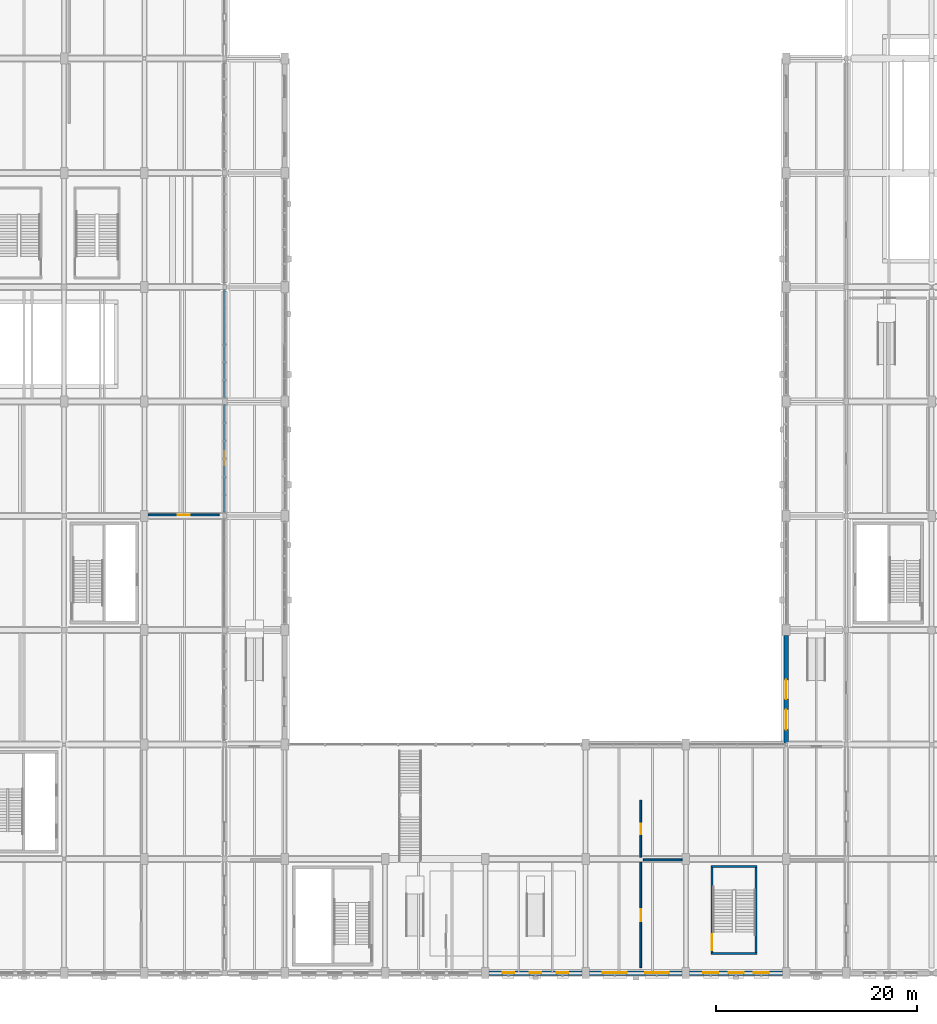
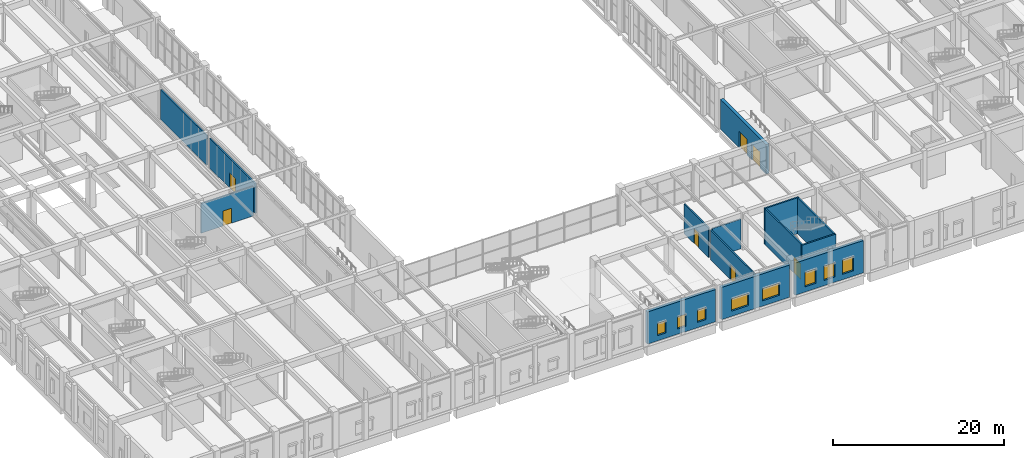
# One storey, part 85 of 113: 14 walls, 8 windows, 7 doors, 15 openings.
"""IFC4 building model written with IfcOpenShell, lengths in metres."""

import ifcopenshell
import ifcopenshell.guid

model = None  # the IFC model being written
_history = None  # IfcOwnerHistory: only IFC2X3 demands one
_inside = {}  # id of a spatial element -> (the spatial element, [elements in it])
_under = {}  # id of a project, library or spatial element -> (it, [spatial elements below it])
_declared = {}  # id of a project -> (the project, [libraries it declares])
_typed = {}  # id of a type object -> (the type object, [elements of that type])
_made_of = {}  # id of a material, layer set ... -> (it, [elements and type objects made of it])


def new_model(schema):
    """Start an empty IFC model of exactly this schema.

    Asked for "IFC4X3", IfcOpenShell would pick the latest addendum, in which some entities
    have other attributes; the version numbers below select the first issue.
    IFC2X3 requires an IfcOwnerHistory on every rooted entity: one is made here for all.
    """
    global model, _history
    if schema == "IFC4X3":
        model = ifcopenshell.file(schema_version=(4, 3, 0, 0))
    else:
        model = ifcopenshell.file(schema=schema)
    _inside.clear()
    _under.clear()
    _declared.clear()
    _typed.clear()
    _made_of.clear()
    _history = None
    if model.schema == "IFC2X3":
        org = make("IfcOrganization", Name="unknown")
        user = make(
            "IfcPersonAndOrganization",
            ThePerson=make("IfcPerson", FamilyName="unknown"),
            TheOrganization=org,
        )
        app = make(
            "IfcApplication",
            ApplicationDeveloper=org,
            Version="unknown",
            ApplicationFullName="unknown",
            ApplicationIdentifier="unknown",
        )
        _history = make(
            "IfcOwnerHistory",
            OwningUser=user,
            OwningApplication=app,
            ChangeAction="ADDED",
            CreationDate=0,
        )
    return model


def make(cls, **values):
    """One entity of the class cls with the attributes given. An attribute that is None is left unset."""
    return model.create_entity(
        cls, **{name: value for name, value in values.items() if value is not None}
    )


def rooted(cls, **values):
    """An entity with a GlobalId (a new one), such as an element, a storey or a relation."""
    return make(cls, GlobalId=ifcopenshell.guid.new(), OwnerHistory=_history, **values)


def si_unit(unit_type, name, prefix=None):
    """IfcSIUnit, for example si_unit("LENGTHUNIT", "METRE", prefix="MILLI")."""
    return make("IfcSIUnit", UnitType=unit_type, Prefix=prefix, Name=name)


def assignment(units):
    """IfcUnitAssignment: the units of a project."""
    return None if units is None else make("IfcUnitAssignment", Units=units)


def point(xyz):
    """IfcCartesianPoint."""
    return None if xyz is None else make("IfcCartesianPoint", Coordinates=xyz)


def direction(xyz):
    """IfcDirection."""
    return None if xyz is None else make("IfcDirection", DirectionRatios=xyz)


def frame(location, z_axis=None, x_axis=None):
    """IfcAxis2Placement3D, a coordinate frame: its origin and axes. An axis left out is left unset."""
    return make(
        "IfcAxis2Placement3D",
        Location=point(location),
        Axis=direction(z_axis),
        RefDirection=direction(x_axis),
    )


def frame_2d(location, x_axis=None):
    """IfcAxis2Placement2D, a coordinate frame in the plane: its origin and x axis."""
    return make(
        "IfcAxis2Placement2D", Location=point(location), RefDirection=direction(x_axis)
    )


def origin():
    """The frame at (0, 0, 0) with its axes left unset."""
    return frame((0.0, 0.0, 0.0))


def place(relative_to, where):
    """IfcLocalPlacement: puts the frame where relative to a parent placement (None: the world)."""
    return make(
        "IfcLocalPlacement", PlacementRelTo=relative_to, RelativePlacement=where
    )


def context(
    kind, dimensions, precision=None, world=None, true_north=None, identifier=None
):
    """IfcGeometricRepresentationContext, for example the 3D "Model" context."""
    return make(
        "IfcGeometricRepresentationContext",
        ContextIdentifier=identifier,
        ContextType=kind,
        CoordinateSpaceDimension=dimensions,
        Precision=precision,
        WorldCoordinateSystem=world,
        TrueNorth=true_north,
    )


def subcontext(parent, identifier, kind, view, scale=None):
    """IfcGeometricRepresentationSubContext, for example "Body" below "Model"."""
    return make(
        "IfcGeometricRepresentationSubContext",
        ContextIdentifier=identifier,
        ContextType=kind,
        ParentContext=parent,
        TargetScale=scale,
        TargetView=view,
    )


def project(units=None, contexts=None):
    """IfcProject with its units and contexts."""
    return rooted(
        "IfcProject",
        Name="project",
        RepresentationContexts=contexts,
        UnitsInContext=assignment(units),
    )


def spatial(cls, under=None, at=None, **own):
    """A site, building, storey or space (cls), placed at a placement, below another one or the project."""
    s = rooted(cls, ObjectPlacement=at, **own)
    if under is not None:
        _under.setdefault(under.id(), (under, []))[1].append(s)
    return s


def profile(cls, at=None, kind="AREA", **sizes):
    """A parametric profile (cls). Its sizes go by their IFC names, for example OverallWidth=200.0."""
    return make(cls, ProfileType=kind, Position=at, **sizes)


def rectangle(**sizes):
    """IfcRectangleProfileDef."""
    return profile("IfcRectangleProfileDef", **sizes)


def extrude(swept, where, along, depth):
    """IfcExtrudedAreaSolid: the profile swept, set in the frame where, extruded along a direction by depth."""
    return make(
        "IfcExtrudedAreaSolid",
        SweptArea=swept,
        Position=where,
        ExtrudedDirection=direction(along),
        Depth=depth,
    )


def shape(context_of_items, identifier, shape_type, items):
    """IfcShapeRepresentation: the items that make up one representation, for example the "Body"."""
    return make(
        "IfcShapeRepresentation",
        ContextOfItems=context_of_items,
        RepresentationIdentifier=identifier,
        RepresentationType=shape_type,
        Items=items,
    )


def material(Name=None, Category=None):
    """IfcMaterial."""
    return make("IfcMaterial", Name=Name, Category=Category)


def layer(
    of_material, thickness, ventilated=None, Name=None, Category=None, Priority=None
):
    """IfcMaterialLayer: one layer of a wall or slab, of a material (None: an air gap)."""
    return make(
        "IfcMaterialLayer",
        Material=of_material,
        LayerThickness=thickness,
        IsVentilated=ventilated,
        Name=Name,
        Category=Category,
        Priority=Priority,
    )


def layer_set(layers, Name=None):
    """IfcMaterialLayerSet."""
    return make("IfcMaterialLayerSet", MaterialLayers=layers, LayerSetName=Name)


def made_of(thing, what):
    """Note that an element or type object is made of a material, layer set ...; save() writes the relation."""
    if what is not None:
        _made_of.setdefault(what.id(), (what, []))[1].append(thing)
    return thing


def type_object(cls, material=None, **own):
    """A type object (cls), such as IfcWallType, which elements share."""
    return made_of(rooted(cls, **own), material)


def element(
    cls,
    number,
    at=None,
    inside=None,
    cuts=None,
    type_object=None,
    material=None,
    context=None,
    identifier="Body",
    shape_type=None,
    held_by="IfcProductDefinitionShape",
    body=None,
    shapes=None,
    **own,
):
    """One element of the class cls, such as IfcWall. Its Tag is "e" and its number.

    at: its placement. inside: the storey or other place that contains it. cuts: it is an
    opening in that element (IfcRelVoidsElement). A single representation is given by context,
    identifier, shape_type and body (its items); several are given by shapes. held_by: the class
    of the entity that holds the representations. save() writes the other relations.
    """
    e = rooted(cls, Tag="e%d" % number, ObjectPlacement=at, **own)
    if body is not None:
        shapes = [shape(context, identifier, shape_type, body)]
    if shapes is not None:
        e.Representation = make(held_by, Representations=shapes)
    if inside is not None:
        _inside.setdefault(inside.id(), (inside, []))[1].append(e)
    if cuts is not None:
        rooted(
            "IfcRelVoidsElement", RelatingBuildingElement=cuts, RelatedOpeningElement=e
        )
    if type_object is not None:
        _typed.setdefault(type_object.id(), (type_object, []))[1].append(e)
    return made_of(e, material)


def fill(opening, filler):
    """IfcRelFillsElement: the door or window that sits in an opening."""
    return rooted(
        "IfcRelFillsElement",
        RelatingOpeningElement=opening,
        RelatedBuildingElement=filler,
    )


def aggregate(whole, parts):
    """IfcRelAggregates: a whole, such as a stair, and the parts it consists of."""
    return rooted("IfcRelAggregates", RelatingObject=whole, RelatedObjects=parts)


def save(model, path):
    """Write the relations noted so far, then the file.

    IfcRelAggregates (storeys below a building ...), IfcRelContainedInSpatialStructure (elements
    in a storey), IfcRelDefinesByType, IfcRelAssociatesMaterial and IfcRelDeclares: one each for
    every whole, place, type object, material and project.
    """
    for whole, parts in _under.values():
        aggregate(whole, parts)
    for where, things in _inside.values():
        rooted(
            "IfcRelContainedInSpatialStructure",
            RelatedElements=things,
            RelatingStructure=where,
        )
    for kind, things in _typed.values():
        rooted("IfcRelDefinesByType", RelatedObjects=things, RelatingType=kind)
    for what, things in _made_of.values():
        rooted("IfcRelAssociatesMaterial", RelatedObjects=things, RelatingMaterial=what)
    for by, libraries in _declared.values():
        rooted("IfcRelDeclares", RelatingContext=by, RelatedDefinitions=libraries)
    model.write(path)


model = new_model("IFC4")

# Units and contexts
model_context = context("Model", 3, precision=1e-05, world=origin(), true_north=direction((0.0, 1.0)))
body_context = subcontext(model_context, "Body", "Model", "MODEL_VIEW")
ifc_project = project(units=[si_unit("LENGTHUNIT", "METRE"), si_unit("AREAUNIT", "SQUARE_METRE"), si_unit("VOLUMEUNIT", "CUBIC_METRE"), si_unit("PLANEANGLEUNIT", "RADIAN"), si_unit("MASSUNIT", "GRAM", prefix="KILO"), si_unit("POWERUNIT", "WATT"), si_unit("THERMODYNAMICTEMPERATUREUNIT", "KELVIN")], contexts=[model_context])

# Site, building, storey
site_placement = place(None, origin())
site = spatial("IfcSite", under=ifc_project, at=site_placement, CompositionType="ELEMENT")
building_placement = place(site_placement, origin())
building = spatial("IfcBuilding", under=site, at=building_placement, Name="Kelmbourne Parkland Aquatics Centre", CompositionType="ELEMENT")
storey_placement = place(building_placement, origin())
storey = spatial("IfcBuildingStorey", under=building, at=storey_placement, Name="L00", CompositionType="ELEMENT", Elevation=0.0)

# Wall, openings, windows
ifc_material_1 = material(Name="Dark manganite base-course brickwork", Category="masonry")
ifc_layer_1 = layer(ifc_material_1, 0.429931640625)
ifc_layer_set_1 = layer_set([ifc_layer_1], Name="Dark manganite base-course brickwork")
wall_type_1 = type_object("IfcWallType", Name="W-EXT-430", PredefinedType="STANDARD", material=ifc_layer_set_1)
wall_1_placement = place(storey_placement, frame((66.376953125, 0.800048828125, 0.0), z_axis=(0.0, 0.0, 1.0), x_axis=(1.0, 0.0, 0.0)))
wall_1 = element("IfcWall", 1, at=wall_1_placement, inside=storey, type_object=wall_type_1, Name="Exterior polychrome brick wall EW-L00-026", PredefinedType="STANDARD", context=body_context, shape_type="SweptSolid", body=[
    extrude(rectangle(XDim=9.24609375, YDim=0.429931640625, at=frame_2d((4.623046875, 0.0))), origin(), (0.0, 0.0, 1.0), 4.612060546875),
])
opening_1_placement = place(wall_1_placement, frame((1.35009765625, 0.0, 0.75)))
opening_1 = element("IfcOpeningElement", 2, at=opening_1_placement, cuts=wall_1, Name="Opening W02", PredefinedType="OPENING", context=body_context, shape_type="SweptSolid", body=[
    extrude(rectangle(XDim=1.14990234375, YDim=1.75, at=frame_2d((0.574951171875, 0.875))), frame((0.0, 0.22705078125, 0.0), z_axis=(0.0, -1.0, 0.0), x_axis=(1.0, 0.0, 0.0)), (0.0, 0.0, 1.0), 0.453857421875),
])
opening_2_placement = place(wall_1_placement, frame((4.048095703125, 0.0, 0.75)))
opening_2 = element("IfcOpeningElement", 3, at=opening_2_placement, cuts=wall_1, Name="Opening W02", PredefinedType="OPENING", context=body_context, shape_type="SweptSolid", body=[
    extrude(rectangle(XDim=1.14990234375, YDim=1.75, at=frame_2d((0.574951171875, 0.875))), frame((0.0, 0.22705078125, 0.0), z_axis=(0.0, -1.0, 0.0), x_axis=(1.0, 0.0, 0.0)), (0.0, 0.0, 1.0), 0.453857421875),
])
opening_3_placement = place(wall_1_placement, frame((6.74609375, 0.0, 0.75)))
opening_3 = element("IfcOpeningElement", 4, at=opening_3_placement, cuts=wall_1, Name="Opening W02", PredefinedType="OPENING", context=body_context, shape_type="SweptSolid", body=[
    extrude(rectangle(XDim=1.14990234375, YDim=1.75, at=frame_2d((0.574951171875, 0.875))), frame((0.0, 0.22705078125, 0.0), z_axis=(0.0, -1.0, 0.0), x_axis=(1.0, 0.0, 0.0)), (0.0, 0.0, 1.0), 0.453857421875),
])
ifc_material_2 = material(Name="Thermally broken anodised aluminium window with low-e glass", Category="aluminium")
ifc_layer_2 = layer(ifc_material_2, 0.090087890625)
ifc_layer_set_2 = layer_set([ifc_layer_2], Name="Thermally broken anodised aluminium window with low-e glass")
window_type_1 = type_object("IfcWindowType", Name="WN-02", PartitioningType="SINGLE_PANEL", PredefinedType="WINDOW", material=ifc_layer_set_2)
window_1_placement = place(opening_1_placement, origin())
window_1 = element("IfcWindow", 5, at=window_1_placement, inside=storey, type_object=window_type_1, Name="Deep-reveal masonry window W02", OverallHeight=1.75, OverallWidth=1.14990234375, PartitioningType="SINGLE_PANEL", PredefinedType="WINDOW", context=body_context, shape_type="SweptSolid", body=[
    extrude(rectangle(XDim=1.14990234375, YDim=1.75, at=frame_2d((0.574951171875, 0.875))), frame((0.0, 0.080078125, 0.0), z_axis=(0.0, -1.0, 0.0), x_axis=(1.0, 0.0, 0.0)), (0.0, 0.0, 1.0), 0.06005859375),
])
fill(opening_1, window_1)
window_2_placement = place(opening_2_placement, origin())
window_2 = element("IfcWindow", 6, at=window_2_placement, inside=storey, type_object=window_type_1, Name="Deep-reveal masonry window W02", OverallHeight=1.75, OverallWidth=1.14990234375, PartitioningType="SINGLE_PANEL", PredefinedType="WINDOW", context=body_context, shape_type="SweptSolid", body=[
    extrude(rectangle(XDim=1.14990234375, YDim=1.75, at=frame_2d((0.574951171875, 0.875))), frame((0.0, 0.080078125, 0.0), z_axis=(0.0, -1.0, 0.0), x_axis=(1.0, 0.0, 0.0)), (0.0, 0.0, 1.0), 0.06005859375),
])
fill(opening_2, window_2)
window_3_placement = place(opening_3_placement, origin())
window_3 = element("IfcWindow", 7, at=window_3_placement, inside=storey, type_object=window_type_1, Name="Deep-reveal masonry window W02", OverallHeight=1.75, OverallWidth=1.14990234375, PartitioningType="SINGLE_PANEL", PredefinedType="WINDOW", context=body_context, shape_type="SweptSolid", body=[
    extrude(rectangle(XDim=1.14990234375, YDim=1.75, at=frame_2d((0.574951171875, 0.875))), frame((0.0, 0.080078125, 0.0), z_axis=(0.0, -1.0, 0.0), x_axis=(1.0, 0.0, 0.0)), (0.0, 0.0, 1.0), 0.06005859375),
])
fill(opening_3, window_3)

wall_2_placement = place(storey_placement, frame((76.376953125, 0.800048828125, 0.0), z_axis=(0.0, 0.0, 1.0), x_axis=(1.0, 0.0, 0.0)))
wall_2 = element("IfcWall", 8, at=wall_2_placement, inside=storey, type_object=wall_type_1, Name="Exterior polychrome brick wall EW-L00-027", PredefinedType="STANDARD", context=body_context, shape_type="SweptSolid", body=[
    extrude(rectangle(XDim=9.24609375, YDim=0.429931640625, at=frame_2d((4.623046875, 0.0))), origin(), (0.0, 0.0, 1.0), 4.612060546875),
])
opening_4_placement = place(wall_2_placement, frame((1.35009765625, 0.0, 0.75)))
opening_4 = element("IfcOpeningElement", 9, at=opening_4_placement, cuts=wall_2, Name="Opening W06", PredefinedType="OPENING", context=body_context, shape_type="SweptSolid", body=[
    extrude(rectangle(XDim=2.35009765625, YDim=1.75, at=frame_2d((1.175048828125, 0.875))), frame((0.0, 0.22705078125, 0.0), z_axis=(0.0, -1.0, 0.0), x_axis=(1.0, 0.0, 0.0)), (0.0, 0.0, 1.0), 0.453857421875),
])
opening_5_placement = place(wall_2_placement, frame((5.5458984375, 0.0, 0.75)))
opening_5 = element("IfcOpeningElement", 10, at=opening_5_placement, cuts=wall_2, Name="Opening W06", PredefinedType="OPENING", context=body_context, shape_type="SweptSolid", body=[
    extrude(rectangle(XDim=2.35009765625, YDim=1.75, at=frame_2d((1.175048828125, 0.875))), frame((0.0, 0.22705078125, 0.0), z_axis=(0.0, -1.0, 0.0), x_axis=(1.0, 0.0, 0.0)), (0.0, 0.0, 1.0), 0.453857421875),
])
ifc_layer_3 = layer(ifc_material_2, 0.090087890625)
ifc_layer_set_3 = layer_set([ifc_layer_3], Name="Thermally broken anodised aluminium window with low-e glass")
window_type_2 = type_object("IfcWindowType", Name="WN-06", PartitioningType="TRIPLE_PANEL_VERTICAL", PredefinedType="WINDOW", material=ifc_layer_set_3)
window_4_placement = place(opening_4_placement, origin())
window_4 = element("IfcWindow", 11, at=window_4_placement, inside=storey, type_object=window_type_2, Name="Deep-reveal masonry window W06", OverallHeight=1.75, OverallWidth=2.35009765625, PartitioningType="TRIPLE_PANEL_VERTICAL", PredefinedType="WINDOW", context=body_context, shape_type="SweptSolid", body=[
    extrude(rectangle(XDim=2.35009765625, YDim=1.75, at=frame_2d((1.175048828125, 0.875))), frame((0.0, 0.080078125, 0.0), z_axis=(0.0, -1.0, 0.0), x_axis=(1.0, 0.0, 0.0)), (0.0, 0.0, 1.0), 0.06005859375),
])
fill(opening_4, window_4)
window_5_placement = place(opening_5_placement, origin())
window_5 = element("IfcWindow", 12, at=window_5_placement, inside=storey, type_object=window_type_2, Name="Deep-reveal masonry window W06", OverallHeight=1.75, OverallWidth=2.35009765625, PartitioningType="TRIPLE_PANEL_VERTICAL", PredefinedType="WINDOW", context=body_context, shape_type="SweptSolid", body=[
    extrude(rectangle(XDim=2.35009765625, YDim=1.75, at=frame_2d((1.175048828125, 0.875))), frame((0.0, 0.080078125, 0.0), z_axis=(0.0, -1.0, 0.0), x_axis=(1.0, 0.0, 0.0)), (0.0, 0.0, 1.0), 0.06005859375),
])
fill(opening_5, window_5)

wall_3_placement = place(storey_placement, frame((86.376953125, 0.800048828125, 0.0), z_axis=(0.0, 0.0, 1.0), x_axis=(1.0, 0.0, 0.0)))
wall_3 = element("IfcWall", 13, at=wall_3_placement, inside=storey, type_object=wall_type_1, Name="Exterior polychrome brick wall EW-L00-028", PredefinedType="STANDARD", context=body_context, shape_type="SweptSolid", body=[
    extrude(rectangle(XDim=9.24609375, YDim=0.429931640625, at=frame_2d((4.623046875, 0.0))), origin(), (0.0, 0.0, 1.0), 4.612060546875),
])
opening_6_placement = place(wall_3_placement, frame((1.35009765625, 0.0, 0.75)))
opening_6 = element("IfcOpeningElement", 14, at=opening_6_placement, cuts=wall_3, Name="Opening W09", PredefinedType="OPENING", context=body_context, shape_type="SweptSolid", body=[
    extrude(rectangle(XDim=1.5, YDim=2.050048828125, at=frame_2d((0.75, 1.02490234375))), frame((0.0, 0.22705078125, 0.0), z_axis=(0.0, -1.0, 0.0), x_axis=(1.0, 0.0, 0.0)), (0.0, 0.0, 1.0), 0.453857421875),
])
opening_7_placement = place(wall_3_placement, frame((3.873046875, 0.0, 0.75)))
opening_7 = element("IfcOpeningElement", 15, at=opening_7_placement, cuts=wall_3, Name="Opening W09", PredefinedType="OPENING", context=body_context, shape_type="SweptSolid", body=[
    extrude(rectangle(XDim=1.5, YDim=2.050048828125, at=frame_2d((0.75, 1.02490234375))), frame((0.0, 0.22705078125, 0.0), z_axis=(0.0, -1.0, 0.0), x_axis=(1.0, 0.0, 0.0)), (0.0, 0.0, 1.0), 0.453857421875),
])
opening_8_placement = place(wall_3_placement, frame((6.39599609375, 0.0, 0.75)))
opening_8 = element("IfcOpeningElement", 16, at=opening_8_placement, cuts=wall_3, Name="Opening W09", PredefinedType="OPENING", context=body_context, shape_type="SweptSolid", body=[
    extrude(rectangle(XDim=1.5, YDim=2.050048828125, at=frame_2d((0.75, 1.02490234375))), frame((0.0, 0.22705078125, 0.0), z_axis=(0.0, -1.0, 0.0), x_axis=(1.0, 0.0, 0.0)), (0.0, 0.0, 1.0), 0.453857421875),
])
ifc_layer_4 = layer(ifc_material_2, 0.090087890625)
ifc_layer_set_4 = layer_set([ifc_layer_4], Name="Thermally broken anodised aluminium window with low-e glass")
window_type_3 = type_object("IfcWindowType", Name="WN-09", PartitioningType="DOUBLE_PANEL_VERTICAL", PredefinedType="WINDOW", material=ifc_layer_set_4)
window_6_placement = place(opening_6_placement, origin())
window_6 = element("IfcWindow", 17, at=window_6_placement, inside=storey, type_object=window_type_3, Name="Deep-reveal masonry window W09", OverallHeight=2.050048828125, OverallWidth=1.5, PartitioningType="DOUBLE_PANEL_VERTICAL", PredefinedType="WINDOW", context=body_context, shape_type="SweptSolid", body=[
    extrude(rectangle(XDim=1.5, YDim=2.050048828125, at=frame_2d((0.75, 1.02490234375))), frame((0.0, 0.080078125, 0.0), z_axis=(0.0, -1.0, 0.0), x_axis=(1.0, 0.0, 0.0)), (0.0, 0.0, 1.0), 0.06005859375),
])
fill(opening_6, window_6)
window_7_placement = place(opening_7_placement, origin())
window_7 = element("IfcWindow", 18, at=window_7_placement, inside=storey, type_object=window_type_3, Name="Deep-reveal masonry window W09", OverallHeight=2.050048828125, OverallWidth=1.5, PartitioningType="DOUBLE_PANEL_VERTICAL", PredefinedType="WINDOW", context=body_context, shape_type="SweptSolid", body=[
    extrude(rectangle(XDim=1.5, YDim=2.050048828125, at=frame_2d((0.75, 1.02490234375))), frame((0.0, 0.080078125, 0.0), z_axis=(0.0, -1.0, 0.0), x_axis=(1.0, 0.0, 0.0)), (0.0, 0.0, 1.0), 0.06005859375),
])
fill(opening_7, window_7)
window_8_placement = place(opening_8_placement, origin())
window_8 = element("IfcWindow", 19, at=window_8_placement, inside=storey, type_object=window_type_3, Name="Deep-reveal masonry window W09", OverallHeight=2.050048828125, OverallWidth=1.5, PartitioningType="DOUBLE_PANEL_VERTICAL", PredefinedType="WINDOW", context=body_context, shape_type="SweptSolid", body=[
    extrude(rectangle(XDim=1.5, YDim=2.050048828125, at=frame_2d((0.75, 1.02490234375))), frame((0.0, 0.080078125, 0.0), z_axis=(0.0, -1.0, 0.0), x_axis=(1.0, 0.0, 0.0)), (0.0, 0.0, 1.0), 0.06005859375),
])
fill(opening_8, window_8)

# Wall, openings, doors
wall_4_placement = place(storey_placement, frame((96.0, 23.72705078125, 0.0), z_axis=(0.0, 0.0, 1.0), x_axis=(0.0, 1.0, 0.0)))
wall_4 = element("IfcWall", 20, at=wall_4_placement, inside=storey, type_object=wall_type_1, Name="Exterior polychrome brick wall EW-L00-032", PredefinedType="STANDARD", context=body_context, shape_type="SweptSolid", body=[
    extrude(rectangle(XDim=10.720947265625, YDim=0.429931640625, at=frame_2d((5.3603515625, 0.0))), origin(), (0.0, 0.0, 1.0), 4.2451171875),
])
opening_9_placement = place(wall_4_placement, frame((1.358642578125, 0.0, 0.0)))
opening_9 = element("IfcOpeningElement", 21, at=opening_9_placement, cuts=wall_4, Name="Opening E11", PredefinedType="OPENING", context=body_context, shape_type="SweptSolid", body=[
    extrude(rectangle(XDim=2.0, YDim=2.35009765625, at=frame_2d((1.0, 1.175048828125))), frame((0.0, 0.22705078125, 0.0), z_axis=(0.0, -1.0, 0.0), x_axis=(1.0, 0.0, 0.0)), (0.0, 0.0, 1.0), 0.453857421875),
])
opening_10_placement = place(wall_4_placement, frame((4.410400390625, 0.0, 0.0)))
opening_10 = element("IfcOpeningElement", 22, at=opening_10_placement, cuts=wall_4, Name="Opening E12", PredefinedType="OPENING", context=body_context, shape_type="SweptSolid", body=[
    extrude(rectangle(XDim=1.89990234375, YDim=2.300048828125, at=frame_2d((0.949951171875, 1.14990234375))), frame((0.0, 0.22705078125, 0.0), z_axis=(0.0, -1.0, 0.0), x_axis=(1.0, 0.0, 0.0)), (0.0, 0.0, 1.0), 0.453857421875),
])
ifc_material_3 = material(Name="Thermally broken anodised aluminium commercial door", Category="aluminium")
ifc_layer_5 = layer(ifc_material_3, 0.06005859375)
ifc_layer_set_5 = layer_set([ifc_layer_5], Name="Thermally broken anodised aluminium commercial door")
door_type_1 = type_object("IfcDoorType", Name="DR-EXT-190", OperationType="NOTDEFINED", PredefinedType="DOOR", material=ifc_layer_set_5)
door_1_placement = place(opening_10_placement, origin())
door_1 = element("IfcDoor", 23, at=door_1_placement, inside=storey, type_object=door_type_1, Name="Final exit double door E12", OperationType="DOUBLE_DOOR_SINGLE_SWING", OverallHeight=2.300048828125, OverallWidth=1.89990234375, PredefinedType="DOOR", context=body_context, shape_type="SweptSolid", body=[
    extrude(rectangle(XDim=1.89990234375, YDim=2.300048828125, at=frame_2d((0.949951171875, 1.14990234375))), frame((0.0, 0.02490234375, 0.0), z_axis=(0.0, -1.0, 0.0), x_axis=(1.0, 0.0, 0.0)), (0.0, 0.0, 1.0), 0.050048828125),
])
fill(opening_10, door_1)
ifc_layer_6 = layer(ifc_material_3, 0.06005859375)
ifc_layer_set_6 = layer_set([ifc_layer_6], Name="Thermally broken anodised aluminium commercial door")
door_type_2 = type_object("IfcDoorType", Name="DR-EXT-200", OperationType="NOTDEFINED", PredefinedType="DOOR", material=ifc_layer_set_6)
door_2_placement = place(opening_9_placement, origin())
door_2 = element("IfcDoor", 24, at=door_2_placement, inside=storey, type_object=door_type_2, Name="Final exit double door E11", OperationType="DOUBLE_DOOR_SINGLE_SWING", OverallHeight=2.35009765625, OverallWidth=2.0, PredefinedType="DOOR", context=body_context, shape_type="SweptSolid", body=[
    extrude(rectangle(XDim=2.0, YDim=2.35009765625, at=frame_2d((1.0, 1.175048828125))), frame((0.0, 0.02490234375, 0.0), z_axis=(0.0, -1.0, 0.0), x_axis=(1.0, 0.0, 0.0)), (0.0, 0.0, 1.0), 0.050048828125),
])
fill(opening_9, door_2)

# Walls
ifc_material_4 = material(Name="Concrete blockwork C32/40", Category="masonry")
ifc_layer_7 = layer(ifc_material_4, 0.199951171875)
ifc_layer_set_7 = layer_set([ifc_layer_7], Name="Concrete blockwork C32/40")
wall_type_2 = type_object("IfcWallType", Name="W-FIRE-200", PredefinedType="SOLIDWALL", material=ifc_layer_set_7)
for number, where, z_axis, x_axis, name in (
    (25, (88.5, 2.75, 0.0), (0.0, 0.0, 1.0), (1.0, 0.0, 0.0), "Foyer East Gallery Exit Stair south enclosure (L00)"),
    (26, (88.5, 11.449951171875, 0.0), (0.0, 0.0, 1.0), (1.0, 0.0, 0.0), "Foyer East Gallery Exit Stair north enclosure (L00)"),
):
    element("IfcWall", number, at=place(storey_placement, frame(where, z_axis=z_axis, x_axis=x_axis)), inside=storey, type_object=wall_type_2, Name=name, PredefinedType="SOLIDWALL", context=body_context, shape_type="SweptSolid", body=[
        extrude(rectangle(XDim=4.60009765625, YDim=0.199951171875, at=frame_2d((2.300048828125, 0.0))), origin(), (0.0, 0.0, 1.0), 5.159912109375),
    ])

# Wall, opening, door
wall_5_placement = place(storey_placement, frame((88.60009765625, 2.85009765625, 0.0), z_axis=(0.0, 0.0, 1.0), x_axis=(0.0, 1.0, 0.0)))
wall_5 = element("IfcWall", 27, at=wall_5_placement, inside=storey, type_object=wall_type_2, Name="Foyer East Gallery Exit Stair west enclosure (L00)", PredefinedType="SOLIDWALL", context=body_context, shape_type="SweptSolid", body=[
    extrude(rectangle(XDim=8.5, YDim=0.199951171875, at=frame_2d((4.25, 0.0))), origin(), (0.0, 0.0, 1.0), 5.159912109375),
])
opening_11_placement = place(wall_5_placement, frame((0.219970703125, 0.0, 0.0)))
opening_11 = element("IfcOpeningElement", 28, at=opening_11_placement, cuts=wall_5, Name="Opening FD02", PredefinedType="OPENING", context=body_context, shape_type="SweptSolid", body=[
    extrude(rectangle(XDim=1.60009765625, YDim=2.199951171875, at=frame_2d((0.800048828125, 1.10009765625))), frame((0.0, 0.11181640625, 0.0), z_axis=(0.0, -1.0, 0.0), x_axis=(1.0, 0.0, 0.0)), (0.0, 0.0, 1.0), 0.223876953125),
])
ifc_material_5 = material(Name="Marine-grade stainless steel and fire-rated hardwood doorset", Category="steel")
ifc_layer_8 = layer(ifc_material_5, 0.050048828125)
ifc_layer_set_8 = layer_set([ifc_layer_8], Name="Marine-grade stainless steel and fire-rated hardwood doorset")
door_type_3 = type_object("IfcDoorType", Name="DR-FD-160", OperationType="NOTDEFINED", PredefinedType="DOOR", material=ifc_layer_set_8)
door_3_placement = place(opening_11_placement, origin())
door_3 = element("IfcDoor", 29, at=door_3_placement, inside=storey, type_object=door_type_3, Name="Exit stair fire door ST13 (L00)", OperationType="DOUBLE_DOOR_SINGLE_SWING", OverallHeight=2.199951171875, OverallWidth=1.60009765625, PredefinedType="DOOR", context=body_context, shape_type="SweptSolid", body=[
    extrude(rectangle(XDim=1.60009765625, YDim=2.199951171875, at=frame_2d((0.800048828125, 1.10009765625))), frame((0.0, 0.02490234375, 0.0), z_axis=(0.0, -1.0, 0.0), x_axis=(1.0, 0.0, 0.0)), (0.0, 0.0, 1.0), 0.050048828125),
])
fill(opening_11, door_3)

# Wall
wall_6_placement = place(storey_placement, frame((93.0, 2.85009765625, 0.0), z_axis=(0.0, 0.0, 1.0), x_axis=(0.0, 1.0, 0.0)))
element("IfcWall", 30, at=wall_6_placement, inside=storey, type_object=wall_type_2, Name="Foyer East Gallery Exit Stair east enclosure (L00)", PredefinedType="SOLIDWALL", context=body_context, shape_type="SweptSolid", body=[
    extrude(rectangle(XDim=8.5, YDim=0.199951171875, at=frame_2d((4.25, 0.0))), origin(), (0.0, 0.0, 1.0), 5.159912109375),
])

# Wall, opening, door
ifc_layer_9 = layer(ifc_material_4, 0.18994140625)
ifc_layer_set_9 = layer_set([ifc_layer_9], Name="Concrete blockwork C32/40")
wall_type_3 = type_object("IfcWallType", Name="W-SOLID-190", PredefinedType="SOLIDWALL", material=ifc_layer_set_9)
wall_7_placement = place(storey_placement, frame((81.5, 1.35009765625, 0.0), z_axis=(0.0, 0.0, 1.0), x_axis=(0.0, 1.0, 0.0)))
wall_7 = element("IfcWall", 31, at=wall_7_placement, inside=storey, type_object=wall_type_3, Name="Interior partition PT-L00-027", PredefinedType="SOLIDWALL", context=body_context, shape_type="SweptSolid", body=[
    extrude(rectangle(XDim=10.5, YDim=0.18994140625, at=frame_2d((5.25, 0.0))), origin(), (0.0, 0.0, 1.0), 4.2451171875),
])
opening_12_placement = place(wall_7_placement, frame((4.64990234375, 0.0, 0.0)))
opening_12 = element("IfcOpeningElement", 32, at=opening_12_placement, cuts=wall_7, Name="Opening ID03", PredefinedType="OPENING", context=body_context, shape_type="SweptSolid", body=[
    extrude(rectangle(XDim=1.199951171875, YDim=2.14990234375, at=frame_2d((0.60009765625, 1.074951171875))), frame((0.0, 0.10693359375, 0.0), z_axis=(0.0, -1.0, 0.0), x_axis=(1.0, 0.0, 0.0)), (0.0, 0.0, 1.0), 0.2138671875),
])
ifc_material_6 = material(Name="Marine-grade stainless steel and solid-core hardwood doorset", Category="timber")
ifc_layer_10 = layer(ifc_material_6, 0.050048828125)
ifc_layer_set_10 = layer_set([ifc_layer_10], Name="Marine-grade stainless steel and solid-core hardwood doorset")
door_type_4 = type_object("IfcDoorType", Name="DR-INT-120", OperationType="NOTDEFINED", PredefinedType="DOOR", material=ifc_layer_set_10)
door_4_placement = place(opening_12_placement, origin())
door_4 = element("IfcDoor", 33, at=door_4_placement, inside=storey, type_object=door_type_4, Name="Interior door ID03 (L00-016)", OperationType="SINGLE_SWING_LEFT", OverallHeight=2.14990234375, OverallWidth=1.199951171875, PredefinedType="DOOR", context=body_context, shape_type="SweptSolid", body=[
    extrude(rectangle(XDim=1.199951171875, YDim=2.14990234375, at=frame_2d((0.60009765625, 1.074951171875))), frame((0.0, 0.02490234375, 0.0), z_axis=(0.0, -1.0, 0.0), x_axis=(1.0, 0.0, 0.0)), (0.0, 0.0, 1.0), 0.050048828125),
])
fill(opening_12, door_4)

wall_8_placement = place(storey_placement, frame((81.5, 12.35009765625, 0.0), z_axis=(0.0, 0.0, 1.0), x_axis=(0.0, 1.0, 0.0)))
wall_8 = element("IfcWall", 34, at=wall_8_placement, inside=storey, type_object=wall_type_3, Name="Interior partition PT-L00-028", PredefinedType="SOLIDWALL", context=body_context, shape_type="SweptSolid", body=[
    extrude(rectangle(XDim=5.699951171875, YDim=0.18994140625, at=frame_2d((2.85009765625, 0.0))), origin(), (0.0, 0.0, 1.0), 4.2451171875),
])
opening_13_placement = place(wall_8_placement, frame((2.324951171875, 0.0, 0.0)))
opening_13 = element("IfcOpeningElement", 35, at=opening_13_placement, cuts=wall_8, Name="Opening ID04", PredefinedType="OPENING", context=body_context, shape_type="SweptSolid", body=[
    extrude(rectangle(XDim=1.050048828125, YDim=2.14990234375, at=frame_2d((0.52490234375, 1.074951171875))), frame((0.0, 0.10693359375, 0.0), z_axis=(0.0, -1.0, 0.0), x_axis=(1.0, 0.0, 0.0)), (0.0, 0.0, 1.0), 0.2138671875),
])
ifc_layer_11 = layer(ifc_material_6, 0.050048828125)
ifc_layer_set_11 = layer_set([ifc_layer_11], Name="Marine-grade stainless steel and solid-core hardwood doorset")
door_type_5 = type_object("IfcDoorType", Name="DR-INT-105", OperationType="NOTDEFINED", PredefinedType="DOOR", material=ifc_layer_set_11)
door_5_placement = place(opening_13_placement, origin())
door_5 = element("IfcDoor", 36, at=door_5_placement, inside=storey, type_object=door_type_5, Name="Interior door ID04 (L00-017)", OperationType="SINGLE_SWING_RIGHT", OverallHeight=2.14990234375, OverallWidth=1.050048828125, PredefinedType="DOOR", context=body_context, shape_type="SweptSolid", body=[
    extrude(rectangle(XDim=1.050048828125, YDim=2.14990234375, at=frame_2d((0.52490234375, 1.074951171875))), frame((0.0, 0.02490234375, 0.0), z_axis=(0.0, -1.0, 0.0), x_axis=(1.0, 0.0, 0.0)), (0.0, 0.0, 1.0), 0.050048828125),
])
fill(opening_13, door_5)

# Wall
wall_9_placement = place(storey_placement, frame((81.75, 12.10009765625, 0.0), z_axis=(0.0, 0.0, 1.0), x_axis=(1.0, 0.0, 0.0)))
element("IfcWall", 37, at=wall_9_placement, inside=storey, type_object=wall_type_3, Name="Interior partition PT-L00-029", PredefinedType="SOLIDWALL", context=body_context, shape_type="SweptSolid", body=[
    extrude(rectangle(XDim=3.873046875, YDim=0.18994140625, at=frame_2d((1.9365234375, 0.0))), origin(), (0.0, 0.0, 1.0), 4.2451171875),
])

# Wall, opening, door
wall_10_placement = place(storey_placement, frame((40.0, 46.75, 0.0), z_axis=(0.0, 0.0, 1.0), x_axis=(0.0, 1.0, 0.0)))
wall_10 = element("IfcWall", 38, at=wall_10_placement, inside=storey, type_object=wall_type_3, Name="Interior partition PT-L00-035", PredefinedType="SOLIDWALL", context=body_context, shape_type="SweptSolid", body=[
    extrude(rectangle(XDim=10.748046875, YDim=0.18994140625, at=frame_2d((5.3740234375, 0.0))), origin(), (0.0, 0.0, 1.0), 4.2451171875),
])
opening_14_placement = place(wall_10_placement, frame((4.674072265625, 0.0, 0.0)))
opening_14 = element("IfcOpeningElement", 39, at=opening_14_placement, cuts=wall_10, Name="Opening PD01", PredefinedType="OPENING", context=body_context, shape_type="SweptSolid", body=[
    extrude(rectangle(XDim=1.39990234375, YDim=2.199951171875, at=frame_2d((0.699951171875, 1.10009765625))), frame((0.0, 0.10693359375, 0.0), z_axis=(0.0, -1.0, 0.0), x_axis=(1.0, 0.0, 0.0)), (0.0, 0.0, 1.0), 0.2138671875),
])
ifc_layer_12 = layer(ifc_material_5, 0.050048828125)
ifc_layer_set_12 = layer_set([ifc_layer_12], Name="Marine-grade stainless steel and fire-rated hardwood doorset")
door_type_6 = type_object("IfcDoorType", Name="DR-PLT-140", OperationType="NOTDEFINED", PredefinedType="DOOR", material=ifc_layer_set_12)
door_6_placement = place(opening_14_placement, origin())
door_6 = element("IfcDoor", 40, at=door_6_placement, inside=storey, type_object=door_type_6, Name="Interior door PD01 (L00-021)", OperationType="DOUBLE_DOOR_SINGLE_SWING", OverallHeight=2.199951171875, OverallWidth=1.39990234375, PredefinedType="DOOR", context=body_context, shape_type="SweptSolid", body=[
    extrude(rectangle(XDim=1.39990234375, YDim=2.199951171875, at=frame_2d((0.699951171875, 1.10009765625))), frame((0.0, 0.02490234375, 0.0), z_axis=(0.0, -1.0, 0.0), x_axis=(1.0, 0.0, 0.0)), (0.0, 0.0, 1.0), 0.050048828125),
])
fill(opening_14, door_6)

# Wall
wall_11_placement = place(storey_placement, frame((40.0, 58.10205078125, 0.0), z_axis=(0.0, 0.0, 1.0), x_axis=(0.0, 1.0, 0.0)))
element("IfcWall", 41, at=wall_11_placement, inside=storey, type_object=wall_type_3, Name="Interior partition PT-L00-036", PredefinedType="SOLIDWALL", context=body_context, shape_type="SweptSolid", body=[
    extrude(rectangle(XDim=10.845947265625, YDim=0.18994140625, at=frame_2d((5.4228515625, 0.0))), origin(), (0.0, 0.0, 1.0), 4.2451171875),
])

# Wall, opening, door
wall_12_placement = place(storey_placement, frame((32.376953125, 46.5, 0.0), z_axis=(0.0, 0.0, 1.0), x_axis=(1.0, 0.0, 0.0)))
wall_12 = element("IfcWall", 42, at=wall_12_placement, inside=storey, type_object=wall_type_3, Name="Interior partition PT-L00-048", PredefinedType="SOLIDWALL", context=body_context, shape_type="SweptSolid", body=[
    extrude(rectangle(XDim=7.072998046875, YDim=0.18994140625, at=frame_2d((3.53662109375, 0.0))), origin(), (0.0, 0.0, 1.0), 4.2451171875),
])
opening_15_placement = place(wall_12_placement, frame((2.9365234375, 0.0, 0.0)))
opening_15 = element("IfcOpeningElement", 43, at=opening_15_placement, cuts=wall_12, Name="Opening ID03", PredefinedType="OPENING", context=body_context, shape_type="SweptSolid", body=[
    extrude(rectangle(XDim=1.199951171875, YDim=2.14990234375, at=frame_2d((0.60009765625, 1.074951171875))), frame((0.0, 0.10693359375, 0.0), z_axis=(0.0, -1.0, 0.0), x_axis=(1.0, 0.0, 0.0)), (0.0, 0.0, 1.0), 0.2138671875),
])
door_7_placement = place(opening_15_placement, origin())
door_7 = element("IfcDoor", 44, at=door_7_placement, inside=storey, type_object=door_type_4, Name="Interior door ID03 (L00-027)", OperationType="SINGLE_SWING_LEFT", OverallHeight=2.14990234375, OverallWidth=1.199951171875, PredefinedType="DOOR", context=body_context, shape_type="SweptSolid", body=[
    extrude(rectangle(XDim=1.199951171875, YDim=2.14990234375, at=frame_2d((0.60009765625, 1.074951171875))), frame((0.0, 0.02490234375, 0.0), z_axis=(0.0, -1.0, 0.0), x_axis=(1.0, 0.0, 0.0)), (0.0, 0.0, 1.0), 0.050048828125),
])
fill(opening_15, door_7)

save(model, "model.ifc")
